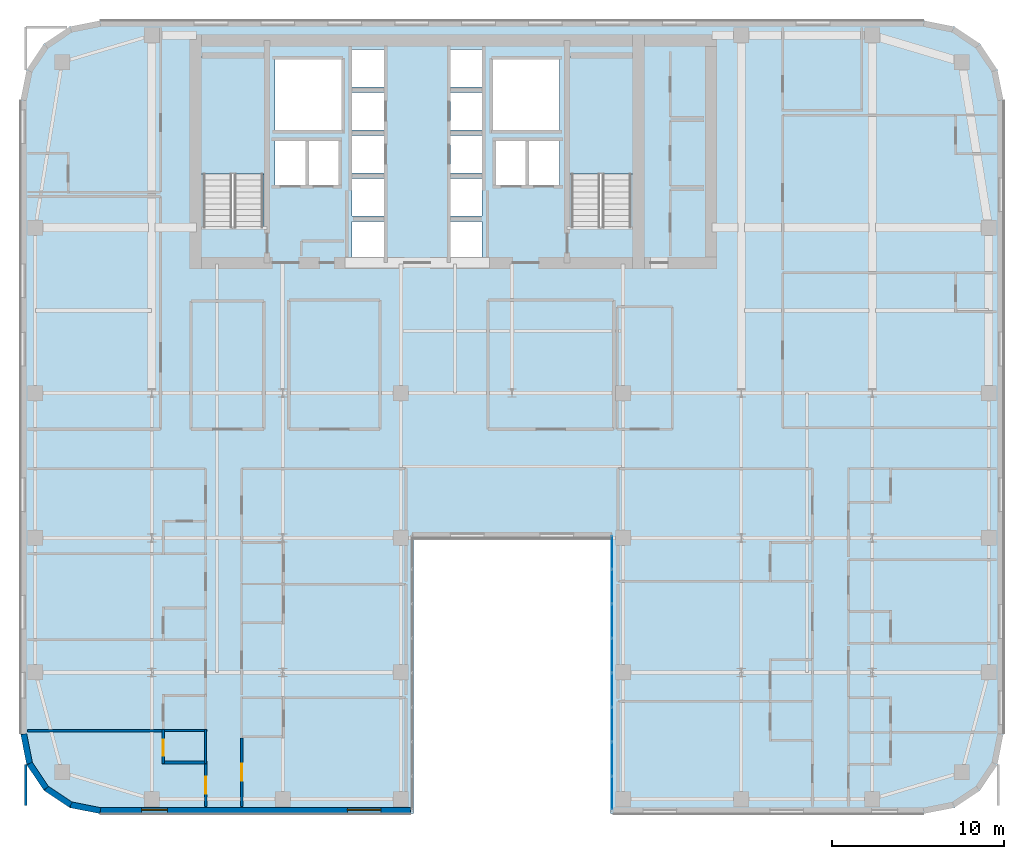
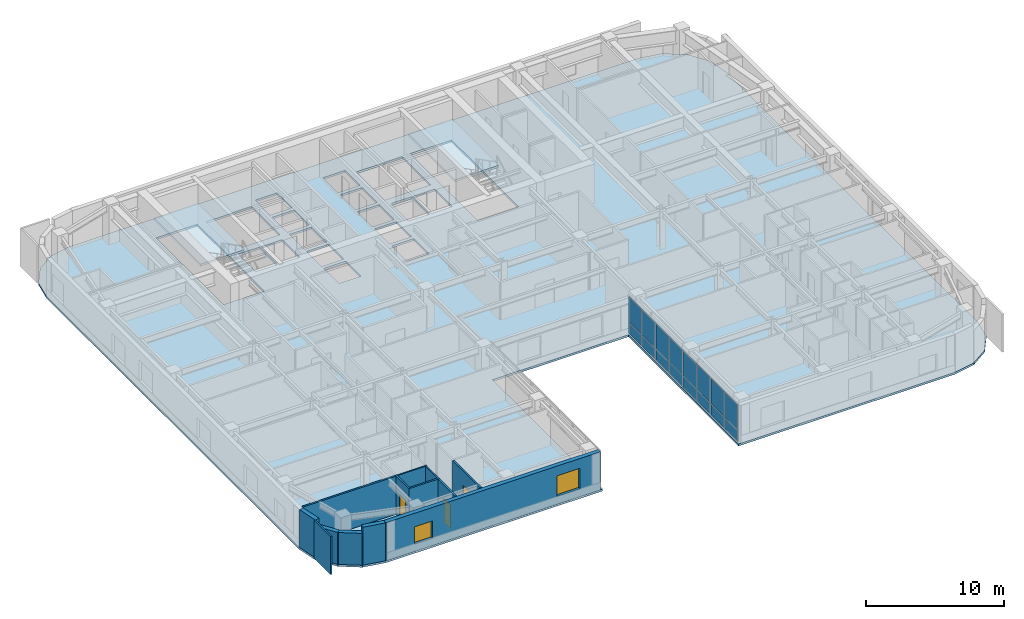
# One storey, part 13 of 25: 16 plates, 13 walls, 3 doors, 3 slabs, 2 windows, 5 openings, 3 elements without a shape of their own.
"""IFC4 building model written with IfcOpenShell, lengths in metres."""

from ifc_helpers import new_model, si_unit, direction, frame, frame_2d, origin, origin_2d, place, context, subcontext, project, spatial, polyline, rectangle, outline, extrude, source, transform, mapped, material, layer, layer_set, type_object, type_shapes, element, fill, aggregate, save


model = new_model("IFC4")

# Units and contexts
model_context = context("Model", 3, precision=1e-05, world=origin(), true_north=direction((0.0, 1.0)))
body_context = subcontext(model_context, "Body", "Model", "MODEL_VIEW")
ifc_project = project(units=[si_unit("LENGTHUNIT", "METRE"), si_unit("AREAUNIT", "SQUARE_METRE"), si_unit("VOLUMEUNIT", "CUBIC_METRE"), si_unit("PLANEANGLEUNIT", "RADIAN"), si_unit("MASSUNIT", "GRAM", prefix="KILO")], contexts=[model_context])

# Site, building, storey
site_placement = place(None, origin())
site = spatial("IfcSite", under=ifc_project, at=site_placement, CompositionType="ELEMENT")
building_placement = place(site_placement, origin())
building = spatial("IfcBuilding", under=site, at=building_placement, Name="Tolvann Quenvar Hotel", CompositionType="ELEMENT")
storey_placement = place(building_placement, frame((0.0, 0.0, 132.85009765625)))
storey = spatial("IfcBuildingStorey", under=building, at=storey_placement, Name="L34", CompositionType="ELEMENT", Elevation=132.85009765625)

# Stair, slab
ifc_material_1 = material(Name="Concrete N40 (40 MPa)", Category="concrete")
stair_type = type_object("IfcStairType", Name="STAIR", PredefinedType="HALF_TURN_STAIR", material=ifc_material_1)
stair_1_placement = place(storey_placement, origin())
stair_1 = element("IfcStair", 1, at=stair_1_placement, inside=storey, type_object=stair_type, Name="L34 ST-C1", PredefinedType="HALF_TURN_STAIR")
ifc_layer_1 = layer(ifc_material_1, 0.199951171875)
ifc_layer_set_1 = layer_set([ifc_layer_1], Name="Concrete N40 (40 MPa)")
slab_type_1 = type_object("IfcSlabType", Name="SLAB_LANDING", PredefinedType="LANDING", material=ifc_layer_set_1)
slab_1_placement = place(storey_placement, frame((0.0, 0.0, 1.574951171875)))
slab_1 = element("IfcSlab", 2, at=slab_1_placement, type_object=slab_type_1, Name="ST-C1 landing 1", PredefinedType="LANDING", context=body_context, shape_type="SweptSolid", body=[
    extrude(outline(polyline([(14.179931640625, 37.10498046875), (14.179931640625, 43.8798828125), (10.469970703125, 43.8798828125), (10.469970703125, 37.10498046875), (14.179931640625, 37.10498046875)])), origin(), (0.0, 0.0, 1.0), 0.199951171875),
])
aggregate(stair_1, [slab_1])

stair_2_placement = place(storey_placement, origin())
stair_2 = element("IfcStair", 3, at=stair_2_placement, inside=storey, type_object=stair_type, Name="L34 ST-C2", PredefinedType="HALF_TURN_STAIR")
slab_2_placement = place(storey_placement, frame((0.0, 0.0, 1.574951171875)))
slab_2 = element("IfcSlab", 4, at=slab_2_placement, type_object=slab_type_1, Name="ST-C2 landing 1", PredefinedType="LANDING", context=body_context, shape_type="SweptSolid", body=[
    extrude(outline(polyline([(35.530029296875, 37.10498046875), (35.530029296875, 43.8798828125), (31.820068359375, 43.8798828125), (31.820068359375, 37.10498046875), (35.530029296875, 37.10498046875)])), origin(), (0.0, 0.0, 1.0), 0.199951171875),
])
aggregate(stair_2, [slab_2])

# Slab
ifc_layer_2 = layer(ifc_material_1, 0.179931640625)
ifc_layer_set_2 = layer_set([ifc_layer_2], Name="Concrete N40 (40 MPa)")
slab_type_2 = type_object("IfcSlabType", Name="SLAB_TWR_180", PredefinedType="FLOOR", material=ifc_layer_set_2)
slab_3_placement = place(storey_placement, frame((0.0, 0.0, -0.18017578125)))
element("IfcSlab", 5, at=slab_3_placement, inside=storey, type_object=slab_type_2, Name="Level L34 Structural Floor Slab", PredefinedType="FLOOR", context=body_context, shape_type="SweptSolid", body=[
    extrude(outline(polyline([(0.0, 4.60009765625), (0.35009765625, 2.839599609375), (1.347412109375, 1.347412109375), (2.839599609375, 0.35009765625), (4.60009765625, 0.0), (22.800048828125, 0.0), (22.800048828125, 16.0), (34.199951171875, 16.0), (34.199951171875, 0.0), (52.39990234375, 0.0), (54.160400390625, 0.35009765625), (55.652587890625, 1.347412109375), (56.64990234375, 2.839599609375), (57.0, 4.60009765625), (57.0, 41.39990234375), (56.64990234375, 43.160400390625), (55.652587890625, 44.652587890625), (54.160400390625, 45.64990234375), (52.39990234375, 46.0), (4.60009765625, 46.0), (2.839599609375, 45.64990234375), (1.347412109375, 44.652587890625), (0.35009765625, 43.160400390625), (0.0, 41.39990234375), (0.0, 4.60009765625)]), holes=[polyline([(31.949951171875, 34.02490234375), (31.949951171875, 43.800048828125), (35.39990234375, 43.800048828125), (35.39990234375, 34.02490234375), (31.949951171875, 34.02490234375)]), polyline([(29.449951171875, 39.02001953125), (31.25, 39.02001953125), (31.25, 36.47998046875), (29.449951171875, 36.47998046875), (29.449951171875, 39.02001953125)]), polyline([(31.25, 43.75), (31.25, 39.64990234375), (27.39990234375, 39.64990234375), (27.39990234375, 43.75), (31.25, 43.75)]), polyline([(27.574951171875, 39.02001953125), (29.324951171875, 39.02001953125), (29.324951171875, 36.47998046875), (27.574951171875, 36.47998046875), (27.574951171875, 39.02001953125)]), polyline([(26.77001953125, 44.340087890625), (26.77001953125, 42.159912109375), (24.929931640625, 42.159912109375), (24.929931640625, 44.340087890625), (26.77001953125, 44.340087890625)]), polyline([(24.929931640625, 41.840087890625), (26.77001953125, 41.840087890625), (26.77001953125, 39.659912109375), (24.929931640625, 39.659912109375), (24.929931640625, 41.840087890625)]), polyline([(24.929931640625, 39.340087890625), (26.77001953125, 39.340087890625), (26.77001953125, 37.159912109375), (24.929931640625, 37.159912109375), (24.929931640625, 39.340087890625)]), polyline([(24.929931640625, 36.840087890625), (26.77001953125, 36.840087890625), (26.77001953125, 34.659912109375), (24.929931640625, 34.659912109375), (24.929931640625, 36.840087890625)]), polyline([(24.929931640625, 34.340087890625), (26.77001953125, 34.340087890625), (26.77001953125, 32.159912109375), (24.929931640625, 32.159912109375), (24.929931640625, 34.340087890625)]), polyline([(21.070068359375, 44.340087890625), (21.070068359375, 42.159912109375), (19.22998046875, 42.159912109375), (19.22998046875, 44.340087890625), (21.070068359375, 44.340087890625)]), polyline([(19.22998046875, 41.840087890625), (21.070068359375, 41.840087890625), (21.070068359375, 39.659912109375), (19.22998046875, 39.659912109375), (19.22998046875, 41.840087890625)]), polyline([(19.22998046875, 39.340087890625), (21.070068359375, 39.340087890625), (21.070068359375, 37.159912109375), (19.22998046875, 37.159912109375), (19.22998046875, 39.340087890625)]), polyline([(19.22998046875, 36.840087890625), (21.070068359375, 36.840087890625), (21.070068359375, 34.659912109375), (19.22998046875, 34.659912109375), (19.22998046875, 36.840087890625)]), polyline([(19.22998046875, 34.340087890625), (21.070068359375, 34.340087890625), (21.070068359375, 32.159912109375), (19.22998046875, 32.159912109375), (19.22998046875, 34.340087890625)]), polyline([(18.60009765625, 43.75), (18.60009765625, 39.64990234375), (14.75, 39.64990234375), (14.75, 43.75), (18.60009765625, 43.75)]), polyline([(16.675048828125, 39.02001953125), (18.425048828125, 39.02001953125), (18.425048828125, 36.47998046875), (16.675048828125, 36.47998046875), (16.675048828125, 39.02001953125)]), polyline([(14.75, 39.02001953125), (16.550048828125, 39.02001953125), (16.550048828125, 36.47998046875), (14.75, 36.47998046875), (14.75, 39.02001953125)]), polyline([(10.60009765625, 34.02490234375), (10.60009765625, 43.800048828125), (14.050048828125, 43.800048828125), (14.050048828125, 34.02490234375), (10.60009765625, 34.02490234375)])]), origin(), (0.0, 0.0, 1.0), 0.18017578125),
])

# Curtain wall, plates
ifc_material_2 = material(Name="Thermally broken anodised architectural aluminium 6063-T6 and laminated low-E glass", Category="aluminium")
ifc_layer_3 = layer(ifc_material_2, 0.179931640625)
ifc_layer_set_3 = layer_set([ifc_layer_3], Name="Thermally broken anodised architectural aluminium 6063-T6 and laminated low-E glass")
curtain_wall_type = type_object("IfcCurtainWallType", Name="CW_SYS_SLOT_03", PredefinedType="USERDEFINED", material=ifc_layer_set_3)
curtain_wall_placement = place(storey_placement, origin())
curtain_wall = element("IfcCurtainWall", 6, at=curtain_wall_placement, inside=storey, type_object=curtain_wall_type, Name="Curtain Wall CW-SLOT-03 (CWR-L34-E07)", ObjectType="UNITISED CURTAIN WALL", PredefinedType="USERDEFINED")
ifc_material_3 = material(Name="Low-iron laminated double glazing with solar-control coating", Category="glass")
ifc_layer_4 = layer(ifc_material_3, 0.028076171875)
ifc_layer_set_4 = layer_set([ifc_layer_4], Name="Low-iron laminated double glazing with solar-control coating")
plate_type = type_object("IfcPlateType", Name="CW_PAN_VISION_28", PredefinedType="CURTAIN_PANEL", material=ifc_layer_set_4)
shared_shape_1 = source(origin(), body_context, "Body", "SweptSolid", [
    extrude(rectangle(XDim=1.89501953125, YDim=0.028076171875, at=origin_2d()), origin(), (0.0, 0.0, 1.0), 0.9599609375),
])
plate_1_placement = place(storey_placement, frame((34.2900390625, 15.157470703125, 0.059814453125), z_axis=(0.0, 0.0, 1.0), x_axis=(0.0, -1.0, 0.0)))
plate_1 = element("IfcPlate", 7, at=plate_1_placement, type_object=plate_type, Name="CW-SLOT-03 panel 1.1", PredefinedType="CURTAIN_PANEL", context=body_context, shape_type="MappedRepresentation", body=[
    mapped(shared_shape_1, transform((0.0, 0.0, 0.0), x_axis=(1.0, 0.0, 0.0), y_axis=(0.0, 1.0, 0.0), z_axis=(0.0, 0.0, 1.0), scale=1.0)),
])
plate_2_placement = place(storey_placement, frame((34.2900390625, 1.1923828125, 0.059814453125), z_axis=(0.0, 0.0, 1.0), x_axis=(0.0, -1.0, 0.0)))
plate_2 = element("IfcPlate", 8, at=plate_2_placement, type_object=plate_type, Name="CW-SLOT-03 panel 8.1", PredefinedType="CURTAIN_PANEL", context=body_context, shape_type="MappedRepresentation", body=[
    mapped(shared_shape_1, transform((0.0, 0.0, 0.0), x_axis=(1.0, 0.0, 0.0), y_axis=(0.0, 1.0, 0.0), z_axis=(0.0, 0.0, 1.0), scale=1.0)),
])
shared_shape_2 = source(origin(), body_context, "Body", "SweptSolid", [
    extrude(rectangle(XDim=1.89501953125, YDim=0.028076171875, at=origin_2d()), origin(), (0.0, 0.0, 1.0), 2.22998046875),
])
plate_3_placement = place(storey_placement, frame((34.2900390625, 15.157470703125, 1.079833984375), z_axis=(0.0, 0.0, 1.0), x_axis=(0.0, -1.0, 0.0)))
plate_3 = element("IfcPlate", 9, at=plate_3_placement, type_object=plate_type, Name="CW-SLOT-03 panel 1.2", PredefinedType="CURTAIN_PANEL", context=body_context, shape_type="MappedRepresentation", body=[
    mapped(shared_shape_2, transform((0.0, 0.0, 0.0), x_axis=(1.0, 0.0, 0.0), y_axis=(0.0, 1.0, 0.0), z_axis=(0.0, 0.0, 1.0), scale=1.0)),
])
plate_4_placement = place(storey_placement, frame((34.2900390625, 1.1923828125, 1.079833984375), z_axis=(0.0, 0.0, 1.0), x_axis=(0.0, -1.0, 0.0)))
plate_4 = element("IfcPlate", 10, at=plate_4_placement, type_object=plate_type, Name="CW-SLOT-03 panel 8.2", PredefinedType="CURTAIN_PANEL", context=body_context, shape_type="MappedRepresentation", body=[
    mapped(shared_shape_2, transform((0.0, 0.0, 0.0), x_axis=(1.0, 0.0, 0.0), y_axis=(0.0, 1.0, 0.0), z_axis=(0.0, 0.0, 1.0), scale=1.0)),
])
shared_shape_3 = source(origin(), body_context, "Body", "SweptSolid", [
    extrude(rectangle(XDim=1.929931640625, YDim=0.028076171875, at=origin_2d()), origin(), (0.0, 0.0, 1.0), 0.9599609375),
])
plate_5_placement = place(storey_placement, frame((34.2900390625, 13.175048828125, 0.059814453125), z_axis=(0.0, 0.0, 1.0), x_axis=(0.0, -1.0, 0.0)))
plate_5 = element("IfcPlate", 11, at=plate_5_placement, type_object=plate_type, Name="CW-SLOT-03 panel 2.1", PredefinedType="CURTAIN_PANEL", context=body_context, shape_type="MappedRepresentation", body=[
    mapped(shared_shape_3, transform((0.0, 0.0, 0.0), x_axis=(1.0, 0.0, 0.0), y_axis=(0.0, 1.0, 0.0), z_axis=(0.0, 0.0, 1.0), scale=1.0)),
])
plate_6_placement = place(storey_placement, frame((34.2900390625, 11.175048828125, 0.059814453125), z_axis=(0.0, 0.0, 1.0), x_axis=(0.0, -1.0, 0.0)))
plate_6 = element("IfcPlate", 12, at=plate_6_placement, type_object=plate_type, Name="CW-SLOT-03 panel 3.1", PredefinedType="CURTAIN_PANEL", context=body_context, shape_type="MappedRepresentation", body=[
    mapped(shared_shape_3, transform((0.0, 0.0, 0.0), x_axis=(1.0, 0.0, 0.0), y_axis=(0.0, 1.0, 0.0), z_axis=(0.0, 0.0, 1.0), scale=1.0)),
])
plate_7_placement = place(storey_placement, frame((34.2900390625, 9.175048828125, 0.059814453125), z_axis=(0.0, 0.0, 1.0), x_axis=(0.0, -1.0, 0.0)))
plate_7 = element("IfcPlate", 13, at=plate_7_placement, type_object=plate_type, Name="CW-SLOT-03 panel 4.1", PredefinedType="CURTAIN_PANEL", context=body_context, shape_type="MappedRepresentation", body=[
    mapped(shared_shape_3, transform((0.0, 0.0, 0.0), x_axis=(1.0, 0.0, 0.0), y_axis=(0.0, 1.0, 0.0), z_axis=(0.0, 0.0, 1.0), scale=1.0)),
])
plate_8_placement = place(storey_placement, frame((34.2900390625, 7.175048828125, 0.059814453125), z_axis=(0.0, 0.0, 1.0), x_axis=(0.0, -1.0, 0.0)))
plate_8 = element("IfcPlate", 14, at=plate_8_placement, type_object=plate_type, Name="CW-SLOT-03 panel 5.1", PredefinedType="CURTAIN_PANEL", context=body_context, shape_type="MappedRepresentation", body=[
    mapped(shared_shape_3, transform((0.0, 0.0, 0.0), x_axis=(1.0, 0.0, 0.0), y_axis=(0.0, 1.0, 0.0), z_axis=(0.0, 0.0, 1.0), scale=1.0)),
])
plate_9_placement = place(storey_placement, frame((34.2900390625, 5.175048828125, 0.059814453125), z_axis=(0.0, 0.0, 1.0), x_axis=(0.0, -1.0, 0.0)))
plate_9 = element("IfcPlate", 15, at=plate_9_placement, type_object=plate_type, Name="CW-SLOT-03 panel 6.1", PredefinedType="CURTAIN_PANEL", context=body_context, shape_type="MappedRepresentation", body=[
    mapped(shared_shape_3, transform((0.0, 0.0, 0.0), x_axis=(1.0, 0.0, 0.0), y_axis=(0.0, 1.0, 0.0), z_axis=(0.0, 0.0, 1.0), scale=1.0)),
])
plate_10_placement = place(storey_placement, frame((34.2900390625, 3.175048828125, 0.059814453125), z_axis=(0.0, 0.0, 1.0), x_axis=(0.0, -1.0, 0.0)))
plate_10 = element("IfcPlate", 16, at=plate_10_placement, type_object=plate_type, Name="CW-SLOT-03 panel 7.1", PredefinedType="CURTAIN_PANEL", context=body_context, shape_type="MappedRepresentation", body=[
    mapped(shared_shape_3, transform((0.0, 0.0, 0.0), x_axis=(1.0, 0.0, 0.0), y_axis=(0.0, 1.0, 0.0), z_axis=(0.0, 0.0, 1.0), scale=1.0)),
])
shared_shape_4 = source(origin(), body_context, "Body", "SweptSolid", [
    extrude(rectangle(XDim=1.929931640625, YDim=0.028076171875, at=origin_2d()), origin(), (0.0, 0.0, 1.0), 2.22998046875),
])
type_shapes(plate_type, [shared_shape_1, shared_shape_2, shared_shape_3, shared_shape_4])
plate_11_placement = place(storey_placement, frame((34.2900390625, 13.175048828125, 1.079833984375), z_axis=(0.0, 0.0, 1.0), x_axis=(0.0, -1.0, 0.0)))
plate_11 = element("IfcPlate", 17, at=plate_11_placement, type_object=plate_type, Name="CW-SLOT-03 panel 2.2", PredefinedType="CURTAIN_PANEL", context=body_context, shape_type="MappedRepresentation", body=[
    mapped(shared_shape_4, transform((0.0, 0.0, 0.0), x_axis=(1.0, 0.0, 0.0), y_axis=(0.0, 1.0, 0.0), z_axis=(0.0, 0.0, 1.0), scale=1.0)),
])
plate_12_placement = place(storey_placement, frame((34.2900390625, 11.175048828125, 1.079833984375), z_axis=(0.0, 0.0, 1.0), x_axis=(0.0, -1.0, 0.0)))
plate_12 = element("IfcPlate", 18, at=plate_12_placement, type_object=plate_type, Name="CW-SLOT-03 panel 3.2", PredefinedType="CURTAIN_PANEL", context=body_context, shape_type="MappedRepresentation", body=[
    mapped(shared_shape_4, transform((0.0, 0.0, 0.0), x_axis=(1.0, 0.0, 0.0), y_axis=(0.0, 1.0, 0.0), z_axis=(0.0, 0.0, 1.0), scale=1.0)),
])
plate_13_placement = place(storey_placement, frame((34.2900390625, 9.175048828125, 1.079833984375), z_axis=(0.0, 0.0, 1.0), x_axis=(0.0, -1.0, 0.0)))
plate_13 = element("IfcPlate", 19, at=plate_13_placement, type_object=plate_type, Name="CW-SLOT-03 panel 4.2", PredefinedType="CURTAIN_PANEL", context=body_context, shape_type="MappedRepresentation", body=[
    mapped(shared_shape_4, transform((0.0, 0.0, 0.0), x_axis=(1.0, 0.0, 0.0), y_axis=(0.0, 1.0, 0.0), z_axis=(0.0, 0.0, 1.0), scale=1.0)),
])
plate_14_placement = place(storey_placement, frame((34.2900390625, 7.175048828125, 1.079833984375), z_axis=(0.0, 0.0, 1.0), x_axis=(0.0, -1.0, 0.0)))
plate_14 = element("IfcPlate", 20, at=plate_14_placement, type_object=plate_type, Name="CW-SLOT-03 panel 5.2", PredefinedType="CURTAIN_PANEL", context=body_context, shape_type="MappedRepresentation", body=[
    mapped(shared_shape_4, transform((0.0, 0.0, 0.0), x_axis=(1.0, 0.0, 0.0), y_axis=(0.0, 1.0, 0.0), z_axis=(0.0, 0.0, 1.0), scale=1.0)),
])
plate_15_placement = place(storey_placement, frame((34.2900390625, 5.175048828125, 1.079833984375), z_axis=(0.0, 0.0, 1.0), x_axis=(0.0, -1.0, 0.0)))
plate_15 = element("IfcPlate", 21, at=plate_15_placement, type_object=plate_type, Name="CW-SLOT-03 panel 6.2", PredefinedType="CURTAIN_PANEL", context=body_context, shape_type="MappedRepresentation", body=[
    mapped(shared_shape_4, transform((0.0, 0.0, 0.0), x_axis=(1.0, 0.0, 0.0), y_axis=(0.0, 1.0, 0.0), z_axis=(0.0, 0.0, 1.0), scale=1.0)),
])
plate_16_placement = place(storey_placement, frame((34.2900390625, 3.175048828125, 1.079833984375), z_axis=(0.0, 0.0, 1.0), x_axis=(0.0, -1.0, 0.0)))
plate_16 = element("IfcPlate", 22, at=plate_16_placement, type_object=plate_type, Name="CW-SLOT-03 panel 7.2", PredefinedType="CURTAIN_PANEL", context=body_context, shape_type="MappedRepresentation", body=[
    mapped(shared_shape_4, transform((0.0, 0.0, 0.0), x_axis=(1.0, 0.0, 0.0), y_axis=(0.0, 1.0, 0.0), z_axis=(0.0, 0.0, 1.0), scale=1.0)),
])
aggregate(curtain_wall, [plate_1, plate_3, plate_5, plate_11, plate_6, plate_12, plate_7, plate_13, plate_8, plate_14, plate_9, plate_15, plate_10, plate_16, plate_2, plate_4])

# Walls
ifc_material_4 = material(Name="Kiln-fired red and buff architectural clay brickwork and terracotta masonry", Category="masonry")
ifc_layer_5 = layer(ifc_material_4, 0.35009765625)
ifc_layer_set_5 = layer_set([ifc_layer_5], Name="Kiln-fired red and buff architectural clay brickwork and terracotta masonry")
wall_type_1 = type_object("IfcWallType", Name="WALL_EXT_BRICK_350", PredefinedType="SOLIDWALL", material=ifc_layer_set_5)
for number, where, z_axis, x_axis, name in (
    (23, (0.514892578125, 2.907958984375, 0.0), (0.0, 0.0, 1.0), (0.55554893791, -0.831483840845, 0.0), "Exterior Chicago Brick Wall L34-E01"),
    (24, (1.473388671875, 1.473388671875, 0.0), (0.0, 0.0, 1.0), (0.831483840845, -0.55554893791, 0.0), "Exterior Chicago Brick Wall L34-E02"),
):
    element("IfcWall", number, at=place(storey_placement, frame(where, z_axis=z_axis, x_axis=x_axis)), inside=storey, type_object=wall_type_1, Name=name, PredefinedType="SOLIDWALL", context=body_context, shape_type="SweptSolid", body=[
        extrude(rectangle(XDim=1.725341796875, YDim=0.35009765625, at=frame_2d((0.86279296875, 0.0))), origin(), (0.0, 0.0, 1.0), 2.831787109375),
    ])
wall_1_placement = place(storey_placement, frame((2.907958984375, 0.514892578125, 0.0), z_axis=(0.0, 0.0, 1.0), x_axis=(0.980800971659, -0.195011420161, 0.0)))
element("IfcWall", 25, at=wall_1_placement, inside=storey, type_object=wall_type_1, Name="Exterior Chicago Brick Wall L34-E03", PredefinedType="SOLIDWALL", context=body_context, shape_type="SweptSolid", body=[
    extrude(rectangle(XDim=1.74267578125, YDim=0.35009765625, at=frame_2d((0.871337890625, 0.0))), origin(), (0.0, 0.0, 1.0), 3.369873046875),
])

# Wall, openings, windows
wall_2_placement = place(storey_placement, frame((4.6171875, 0.175048828125, 0.0), z_axis=(0.0, 0.0, 1.0), x_axis=(1.0, 0.0, 0.0)))
wall_2 = element("IfcWall", 26, at=wall_2_placement, inside=storey, type_object=wall_type_1, Name="Exterior Chicago Brick Wall L34-E04", PredefinedType="SOLIDWALL", context=body_context, shape_type="SweptSolid", body=[
    extrude(rectangle(XDim=18.0078125, YDim=0.35009765625, at=frame_2d((9.00390625, 0.0))), origin(), (0.0, 0.0, 1.0), 3.369873046875),
])
opening_1_placement = place(wall_2_placement, frame((14.33203125, 0.0, 0.679931640625)))
opening_1 = element("IfcOpeningElement", 27, at=opening_1_placement, cuts=wall_2, Name="Opening W-10", PredefinedType="OPENING", context=body_context, shape_type="SweptSolid", body=[
    extrude(rectangle(XDim=1.949951171875, YDim=1.820068359375, at=frame_2d((0.97509765625, 0.91015625))), frame((0.0, 0.18505859375, 0.0), z_axis=(0.0, -1.0, 0.0), x_axis=(1.0, 0.0, 0.0)), (0.0, 0.0, 1.0), 0.3701171875),
])
opening_2_placement = place(wall_2_placement, frame((2.39111328125, 0.0, 0.6201171875)))
opening_2 = element("IfcOpeningElement", 28, at=opening_2_placement, cuts=wall_2, Name="Opening W-08", PredefinedType="OPENING", context=body_context, shape_type="SweptSolid", body=[
    extrude(rectangle(XDim=1.5, YDim=1.550048828125, at=frame_2d((0.75, 0.77490234375))), frame((0.0, 0.18505859375, 0.0), z_axis=(0.0, -1.0, 0.0), x_axis=(1.0, 0.0, 0.0)), (0.0, 0.0, 1.0), 0.3701171875),
])
ifc_material_5 = material(Name="Thermally broken bronze-anodised aluminium frame with double low-E glazing", Category="aluminium")
window_type_1 = type_object("IfcWindowType", Name="WIN_COR_1500x2050", PartitioningType="SINGLE_PANEL", PredefinedType="WINDOW", material=ifc_material_5)
shared_shape_5 = source(origin(), body_context, "Body", "SweptSolid", [
    extrude(rectangle(XDim=1.5, YDim=1.550048828125, at=frame_2d((0.75, 0.77490234375))), frame((0.0, 0.090087890625, 0.0), z_axis=(0.0, -1.0, 0.0), x_axis=(1.0, 0.0, 0.0)), (0.0, 0.0, 1.0), 0.06005859375),
])
type_shapes(window_type_1, [shared_shape_5])
window_1_placement = place(opening_2_placement, origin())
window_1 = element("IfcWindow", 29, at=window_1_placement, inside=storey, type_object=window_type_1, Name="Chicago Window W-08 (EW-L34-E04-WD02)", OverallHeight=1.550048828125, OverallWidth=1.5, PartitioningType="SINGLE_PANEL", PredefinedType="WINDOW", context=body_context, shape_type="MappedRepresentation", body=[
    mapped(shared_shape_5, transform((0.0, 0.0, 0.0), x_axis=(1.0, 0.0, 0.0), y_axis=(0.0, 1.0, 0.0), z_axis=(0.0, 0.0, 1.0), scale=1.0)),
])
fill(opening_2, window_1)
window_type_2 = type_object("IfcWindowType", Name="WIN_CLB_1950x1850", PartitioningType="DOUBLE_PANEL_VERTICAL", PredefinedType="WINDOW", material=ifc_material_5)
shared_shape_6 = source(origin(), body_context, "Body", "SweptSolid", [
    extrude(rectangle(XDim=1.949951171875, YDim=1.820068359375, at=frame_2d((0.97509765625, 0.91015625))), frame((0.0, 0.090087890625, 0.0), z_axis=(0.0, -1.0, 0.0), x_axis=(1.0, 0.0, 0.0)), (0.0, 0.0, 1.0), 0.06005859375),
])
type_shapes(window_type_2, [shared_shape_6])
window_2_placement = place(opening_1_placement, origin())
window_2 = element("IfcWindow", 30, at=window_2_placement, inside=storey, type_object=window_type_2, Name="Chicago Window W-10 (EW-L34-E04-W01)", OverallHeight=1.820068359375, OverallWidth=1.949951171875, PartitioningType="DOUBLE_PANEL_VERTICAL", PredefinedType="WINDOW", context=body_context, shape_type="MappedRepresentation", body=[
    mapped(shared_shape_6, transform((0.0, 0.0, 0.0), x_axis=(1.0, 0.0, 0.0), y_axis=(0.0, 1.0, 0.0), z_axis=(0.0, 0.0, 1.0), scale=1.0)),
])
fill(opening_1, window_2)

# Walls
wall_3_placement = place(storey_placement, frame((0.175048828125, 4.6171875, 0.0), z_axis=(0.0, 0.0, 1.0), x_axis=(0.195011420161, -0.980800971659, 0.0)))
element("IfcWall", 31, at=wall_3_placement, inside=storey, type_object=wall_type_1, Name="Exterior Chicago Brick Wall L34-E24", PredefinedType="SOLIDWALL", context=body_context, shape_type="SweptSolid", body=[
    extrude(rectangle(XDim=1.74267578125, YDim=0.35009765625, at=frame_2d((0.871337890625, 0.0))), origin(), (0.0, 0.0, 1.0), 3.369873046875),
])
ifc_material_6 = material(Name="Moisture-resistant acoustic plumbing wall assembly")
ifc_layer_6 = layer(ifc_material_6, 0.1201171875)
ifc_layer_set_6 = layer_set([ifc_layer_6], Name="Moisture-resistant acoustic plumbing wall assembly")
wall_type_2 = type_object("IfcWallType", Name="WALL_PART_BATH_120", PredefinedType="PLUMBINGWALL", material=ifc_layer_set_6)
wall_4_placement = place(storey_placement, frame((8.2099609375, 4.820068359375, 0.0), z_axis=(0.0, 0.0, 1.0), x_axis=(1.0, 0.0, 0.0)))
element("IfcWall", 32, at=wall_4_placement, inside=storey, type_object=wall_type_2, Name="Non-Rated Plumbing Partition PT-SPC-L34-ENS-WO01-N", PredefinedType="PLUMBINGWALL", context=body_context, shape_type="SweptSolid", body=[
    extrude(rectangle(XDim=2.590087890625, YDim=0.1201171875, at=frame_2d((1.294921875, 0.0))), origin(), (0.0, 0.0, 1.0), 3.369873046875),
])
wall_5_placement = place(storey_placement, frame((10.72998046875, 2.89990234375, 0.0), z_axis=(0.0, 0.0, 1.0), x_axis=(0.0, 1.0, 0.0)))
element("IfcWall", 33, at=wall_5_placement, inside=storey, type_object=wall_type_2, Name="Non-Rated Plumbing Partition PT-SPC-L34-ENS-WO01-E", PredefinedType="PLUMBINGWALL", context=body_context, shape_type="SweptSolid", body=[
    extrude(rectangle(XDim=1.989990234375, YDim=0.1201171875, at=frame_2d((0.9951171875, 0.0))), origin(), (0.0, 0.0, 1.0), 3.369873046875),
])

# Wall, opening, door
ifc_material_7 = material(Name="Acoustic twin-stud fire-rated gypsum plasterboard partition")
ifc_layer_7 = layer(ifc_material_7, 0.14990234375)
ifc_layer_set_7 = layer_set([ifc_layer_7], Name="Acoustic twin-stud fire-rated gypsum plasterboard partition")
wall_type_3 = type_object("IfcWallType", Name="WALL_PART_SUITE_150", PredefinedType="PARTITIONING", material=ifc_layer_set_7)
wall_6_placement = place(storey_placement, frame((8.280029296875, 2.89990234375, 0.0), z_axis=(0.0, 0.0, 1.0), x_axis=(0.0, 1.0, 0.0)))
wall_6 = element("IfcWall", 34, at=wall_6_placement, inside=storey, type_object=wall_type_3, Name="Interior Partition PT-SPC-L34-ENS-WO01-ENT", PredefinedType="PARTITIONING", context=body_context, shape_type="SweptSolid", body=[
    extrude(rectangle(XDim=1.989990234375, YDim=0.14990234375, at=frame_2d((0.9951171875, 0.0))), origin(), (0.0, 0.0, 1.0), 3.369873046875),
])
opening_3_placement = place(wall_6_placement, frame((0.465087890625, 0.0, 0.0)))
opening_3 = element("IfcOpeningElement", 35, at=opening_3_placement, cuts=wall_6, Name="Opening WD-01", PredefinedType="OPENING", context=body_context, shape_type="SweptSolid", body=[
    extrude(rectangle(XDim=0.919921875, YDim=2.010009765625, at=frame_2d((0.4599609375, 1.0048828125))), frame((0.0, 0.0849609375, 0.0), z_axis=(0.0, -1.0, 0.0), x_axis=(1.0, 0.0, 0.0)), (0.0, 0.0, 1.0), 0.169921875),
])
ifc_material_8 = material(Name="Solid-core American oak acoustic fire door leaf in steel frame", Category="steel")
door_type_1 = type_object("IfcDoorType", Name="DOOR_WC_920", OperationType="NOTDEFINED", PredefinedType="DOOR", material=ifc_material_8)
shared_shape_7 = source(origin(), body_context, "Body", "SweptSolid", [
    extrude(rectangle(XDim=0.919921875, YDim=2.010009765625, at=frame_2d((0.4599609375, 1.0048828125))), frame((0.0, 0.02490234375, 0.0), z_axis=(0.0, -1.0, 0.0), x_axis=(1.0, 0.0, 0.0)), (0.0, 0.0, 1.0), 0.050048828125),
])
type_shapes(door_type_1, [shared_shape_7])
door_1_placement = place(opening_3_placement, origin())
door_1 = element("IfcDoor", 36, at=door_1_placement, inside=storey, type_object=door_type_1, Name="Interior Door DOOR-SPC-L34-ENS-WO01", OperationType="SINGLE_SWING_LEFT", OverallHeight=2.010009765625, OverallWidth=0.919921875, PredefinedType="DOOR", context=body_context, shape_type="MappedRepresentation", body=[
    mapped(shared_shape_7, transform((0.0, 0.0, 0.0), x_axis=(1.0, 0.0, 0.0), y_axis=(0.0, 1.0, 0.0), z_axis=(0.0, 0.0, 1.0), scale=1.0)),
])
fill(opening_3, door_1)

# Wall
wall_7_placement = place(storey_placement, frame((8.2099609375, 2.969970703125, 0.0), z_axis=(0.0, 0.0, 1.0), x_axis=(1.0, 0.0, 0.0)))
element("IfcWall", 37, at=wall_7_placement, inside=storey, type_object=wall_type_3, Name="Interior Partition PT-SPC-L34-ENS-WO01-S", PredefinedType="PARTITIONING", context=body_context, shape_type="SweptSolid", body=[
    extrude(rectangle(XDim=2.590087890625, YDim=0.14990234375, at=frame_2d((1.294921875, 0.0))), origin(), (0.0, 0.0, 1.0), 3.369873046875),
])

# Wall, opening, door
wall_8_placement = place(storey_placement, frame((10.72998046875, 0.405029296875, 0.0), z_axis=(0.0, 0.0, 1.0), x_axis=(0.0, 1.0, 0.0)))
wall_8 = element("IfcWall", 38, at=wall_8_placement, inside=storey, type_object=wall_type_3, Name="Interior Partition PT-SPC-L34-RM-WO01-ENT", PredefinedType="PARTITIONING", context=body_context, shape_type="SweptSolid", body=[
    extrude(rectangle(XDim=2.48486328125, YDim=0.14990234375, at=frame_2d((1.242431640625, 0.0))), origin(), (0.0, 0.0, 1.0), 3.369873046875),
])
opening_4_placement = place(wall_8_placement, frame((0.760009765625, 0.0, 0.0)))
opening_4 = element("IfcOpeningElement", 39, at=opening_4_placement, cuts=wall_8, Name="Opening SD-01", PredefinedType="OPENING", context=body_context, shape_type="SweptSolid", body=[
    extrude(rectangle(XDim=0.97998046875, YDim=2.1201171875, at=frame_2d((0.489990234375, 1.06005859375))), frame((0.0, 0.0849609375, 0.0), z_axis=(0.0, -1.0, 0.0), x_axis=(1.0, 0.0, 0.0)), (0.0, 0.0, 1.0), 0.169921875),
])
door_type_2 = type_object("IfcDoorType", Name="DOOR_SUITE_980", OperationType="NOTDEFINED", PredefinedType="DOOR", material=ifc_material_8)
shared_shape_8 = source(origin(), body_context, "Body", "SweptSolid", [
    extrude(rectangle(XDim=0.97998046875, YDim=2.1201171875, at=frame_2d((0.489990234375, 1.06005859375))), frame((0.0, 0.02490234375, 0.0), z_axis=(0.0, -1.0, 0.0), x_axis=(1.0, 0.0, 0.0)), (0.0, 0.0, 1.0), 0.050048828125),
])
type_shapes(door_type_2, [shared_shape_8])
door_2_placement = place(opening_4_placement, origin())
door_2 = element("IfcDoor", 40, at=door_2_placement, inside=storey, type_object=door_type_2, Name="Interior Door DOOR-SPC-L34-RM-WO01", OperationType="SINGLE_SWING_LEFT", OverallHeight=2.1201171875, OverallWidth=0.97998046875, PredefinedType="DOOR", context=body_context, shape_type="MappedRepresentation", body=[
    mapped(shared_shape_8, transform((0.0, 0.0, 0.0), x_axis=(1.0, 0.0, 0.0), y_axis=(0.0, 1.0, 0.0), z_axis=(0.0, 0.0, 1.0), scale=1.0)),
])
fill(opening_4, door_2)

# Walls
wall_9_placement = place(storey_placement, frame((0.405029296875, 4.820068359375, 0.0), z_axis=(0.0, 0.0, 1.0), x_axis=(1.0, 0.0, 0.0)))
element("IfcWall", 41, at=wall_9_placement, inside=storey, type_object=wall_type_3, Name="Interior Partition PT-SPC-L34-RM-WO01-E5", PredefinedType="PARTITIONING", context=body_context, shape_type="SweptSolid", body=[
    extrude(rectangle(XDim=7.85498046875, YDim=0.14990234375, at=frame_2d((3.927490234375, 0.0))), origin(), (0.0, 0.0, 1.0), 3.369873046875),
])
wall_10_placement = place(storey_placement, frame((0.300048828125, 0.47998046875, 0.0), z_axis=(0.0, 0.0, 1.0), x_axis=(0.0, 1.0, 0.0)))
element("IfcWall", 42, at=wall_10_placement, inside=storey, type_object=wall_type_3, Name="Interior Partition PT-SPC-L34-RM-WO01-E6", PredefinedType="PARTITIONING", context=body_context, shape_type="SweptSolid", body=[
    extrude(rectangle(XDim=2.385009765625, YDim=0.14990234375, at=frame_2d((1.1923828125, 0.0))), origin(), (0.0, 0.0, 1.0), 3.369873046875),
])

# Wall, opening, door
wall_11_placement = place(storey_placement, frame((12.820068359375, 0.405029296875, 0.0), z_axis=(0.0, 0.0, 1.0), x_axis=(0.0, 1.0, 0.0)))
wall_11 = element("IfcWall", 43, at=wall_11_placement, inside=storey, type_object=wall_type_3, Name="Interior Partition PT-SPC-L34-RM-WI01-ENT", PredefinedType="PARTITIONING", context=body_context, shape_type="SweptSolid", body=[
    extrude(rectangle(XDim=3.98486328125, YDim=0.14990234375, at=frame_2d((1.992431640625, 0.0))), origin(), (0.0, 0.0, 1.0), 3.369873046875),
])
opening_5_placement = place(wall_11_placement, frame((1.510009765625, 0.0, 0.0)))
opening_5 = element("IfcOpeningElement", 44, at=opening_5_placement, cuts=wall_11, Name="Opening SD-01", PredefinedType="OPENING", context=body_context, shape_type="SweptSolid", body=[
    extrude(rectangle(XDim=0.97998046875, YDim=2.1201171875, at=frame_2d((0.489990234375, 1.06005859375))), frame((0.0, 0.0849609375, 0.0), z_axis=(0.0, -1.0, 0.0), x_axis=(1.0, 0.0, 0.0)), (0.0, 0.0, 1.0), 0.169921875),
])
door_3_placement = place(opening_5_placement, origin())
door_3 = element("IfcDoor", 45, at=door_3_placement, inside=storey, type_object=door_type_2, Name="Interior Door DOOR-SPC-L34-RM-WI01", OperationType="SINGLE_SWING_LEFT", OverallHeight=2.1201171875, OverallWidth=0.97998046875, PredefinedType="DOOR", context=body_context, shape_type="MappedRepresentation", body=[
    mapped(shared_shape_8, transform((0.0, 0.0, 0.0), x_axis=(1.0, 0.0, 0.0), y_axis=(0.0, 1.0, 0.0), z_axis=(0.0, 0.0, 1.0), scale=1.0)),
])
fill(opening_5, door_3)

save(model, "model.ifc")
